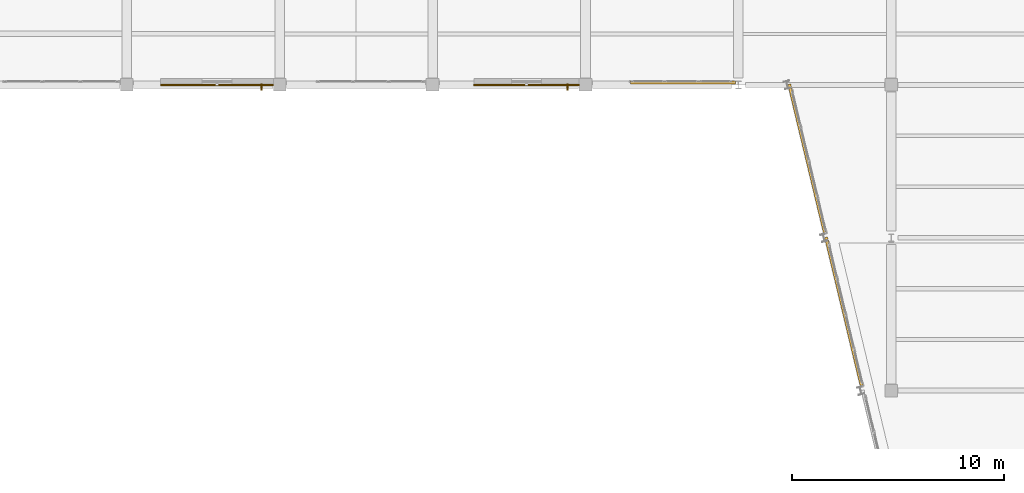
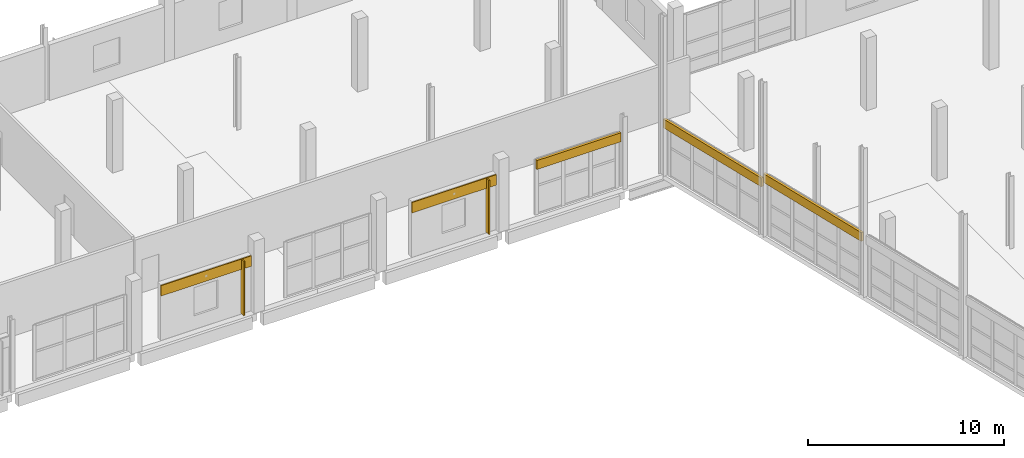
# One storey, part 116 of 123: 5 shading devices, 2 coverings.
"""IFC4 building model written with IfcOpenShell, lengths in metres."""

from ifc_helpers import new_model, si_unit, direction, frame, origin, origin_2d, place, context, subcontext, project, spatial, rectangle, extrude, material, layer, layer_set, type_object, element, save


model = new_model("IFC4")

# Units and contexts
model_context = context("Model", 3, precision=1e-05, world=origin(), true_north=direction((0.0, 1.0)))
body_context = subcontext(model_context, "Body", "Model", "MODEL_VIEW")
ifc_project = project(units=[si_unit("LENGTHUNIT", "METRE"), si_unit("AREAUNIT", "SQUARE_METRE"), si_unit("VOLUMEUNIT", "CUBIC_METRE"), si_unit("PLANEANGLEUNIT", "RADIAN"), si_unit("MASSUNIT", "GRAM", prefix="KILO")], contexts=[model_context])

# Site, building, storey
site_placement = place(None, origin())
site = spatial("IfcSite", under=ifc_project, at=site_placement, CompositionType="ELEMENT")
building_placement = place(site_placement, origin())
building = spatial("IfcBuilding", under=site, at=building_placement, Name="Kalmorath City Hall", CompositionType="ELEMENT")
storey_placement = place(building_placement, frame((0.0, 0.0, 10.199951171875)))
storey = spatial("IfcBuildingStorey", under=building, at=storey_placement, Name="L02", CompositionType="ELEMENT", Elevation=10.199951171875)

# Shading devices
ifc_material_1 = material(Name="Bronze anodised aluminium", Category="aluminium")
ifc_layer_1 = layer(ifc_material_1, 0.06005859375)
ifc_layer_set_1 = layer_set([ifc_layer_1], Name="Bronze anodised aluminium")
shading_device_type_1 = type_object("IfcShadingDeviceType", Name="Bronze vertical solar fin 320", PredefinedType="USERDEFINED", material=ifc_layer_set_1)
for number, where, z_axis, x_axis, name in (
    (1, (114.34912109375, 93.5, 0.050048828125), (0.0, 0.0, 1.0), (-1.0, 0.0, 0.0), "L02 bronze solar fin #255"),
    (2, (99.948974609375, 93.5, 0.050048828125), (0.0, 0.0, 1.0), (-1.0, 0.0, 0.0), "L02 bronze solar fin #256"),
):
    element("IfcShadingDevice", number, at=place(storey_placement, frame(where, z_axis=z_axis, x_axis=x_axis)), inside=storey, type_object=shading_device_type_1, Name=name, ObjectType="FIN", PredefinedType="USERDEFINED", context=body_context, shape_type="SweptSolid", body=[
        extrude(rectangle(XDim=0.06005859375, YDim=0.320068359375, at=origin_2d()), origin(), (0.0, 0.0, 1.0), 3.37109375),
    ])
ifc_material_2 = material(Name="Bronze anodised storm louvre")
ifc_layer_2 = layer(ifc_material_2, 0.139892578125)
ifc_layer_set_2 = layer_set([ifc_layer_2], Name="Bronze anodised storm louvre")
shading_device_type_2 = type_object("IfcShadingDeviceType", Name="Hurricane bronze storm louvre bank", PredefinedType="JALOUSIE", material=ifc_layer_set_2)
for number, where, z_axis, x_axis, name in (
    (3, (127.37255859375, 82.895263671875, 3.26025390625), (0.0, 0.0, 1.0), (-0.233445363856, 0.972369920398, 0.0), "L02 library storm louvre #252"),
    (4, (125.643798828125, 90.09521484375, 2.89599609375), (0.0, 0.0, 1.0), (-0.233445363856, 0.972369920398, 0.0), "L02 library storm louvre #253"),
):
    element("IfcShadingDevice", number, at=place(storey_placement, frame(where, z_axis=z_axis, x_axis=x_axis)), inside=storey, type_object=shading_device_type_2, Name=name, PredefinedType="JALOUSIE", context=body_context, shape_type="SweptSolid", body=[
        extrude(rectangle(XDim=7.2568359375, YDim=0.139892578125, at=origin_2d()), origin(), (0.0, 0.0, 1.0), 0.550048828125),
    ])
shading_device_placement = place(storey_placement, frame((119.79736328125, 93.699951171875, 2.8759765625), z_axis=(0.0, 0.0, 1.0), x_axis=(-1.0, 0.0, 0.0)))
element("IfcShadingDevice", 5, at=shading_device_placement, inside=storey, type_object=shading_device_type_2, Name="L02 library storm louvre #254", PredefinedType="JALOUSIE", context=body_context, shape_type="SweptSolid", body=[
    extrude(rectangle(XDim=4.94921875, YDim=0.139892578125, at=origin_2d()), origin(), (0.0, 0.0, 1.0), 0.550048828125),
])

# Coverings
ifc_material_3 = material(Name="Volcanic basalt stone cladding", Category="masonry")
ifc_layer_3 = layer(ifc_material_3, 0.06005859375)
ifc_layer_set_3 = layer_set([ifc_layer_3], Name="Volcanic basalt stone cladding")
covering_type = type_object("IfcCoveringType", Name="Volcanic basalt stone rainscreen cladding", PredefinedType="CLADDING", material=ifc_layer_set_3)
covering_1_placement = place(storey_placement, frame((112.42236328125, 93.594970703125, 2.796142578125), z_axis=(0.0, 0.0, 1.0), x_axis=(-1.0, 0.0, 0.0)))
element("IfcCovering", 6, at=covering_1_placement, inside=storey, type_object=covering_type, Name="L02 basalt spandrel cladding #52", PredefinedType="CLADDING", context=body_context, shape_type="SweptSolid", body=[
    extrude(rectangle(XDim=4.953125, YDim=0.06005859375, at=origin_2d()), origin(), (0.0, 0.0, 1.0), 0.64990234375),
])
covering_2_placement = place(storey_placement, frame((97.845458984375, 93.594970703125, 2.796142578125), z_axis=(0.0, 0.0, 1.0), x_axis=(-1.0, 0.0, 0.0)))
element("IfcCovering", 7, at=covering_2_placement, inside=storey, type_object=covering_type, Name="L02 basalt spandrel cladding #53", PredefinedType="CLADDING", context=body_context, shape_type="SweptSolid", body=[
    extrude(rectangle(XDim=5.306884765625, YDim=0.06005859375, at=origin_2d()), origin(), (0.0, 0.0, 1.0), 0.64990234375),
])

save(model, "model.ifc")
